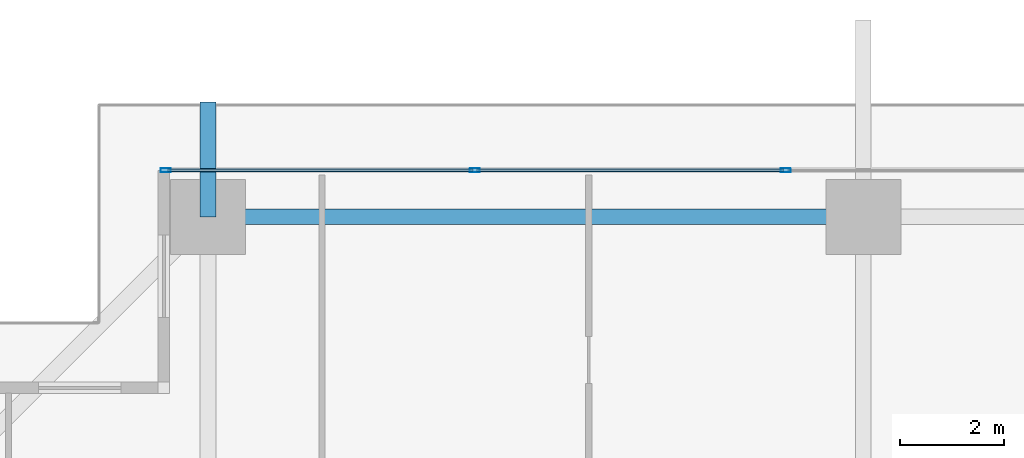
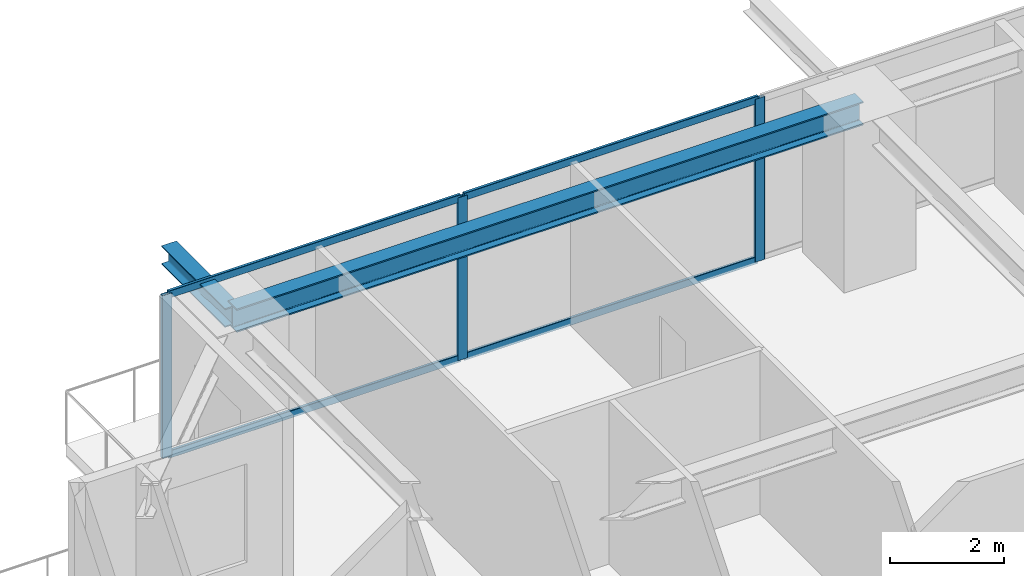
# One storey, part 20 of 39: 7 members, 2 beams, 1 element without a shape of its own.
"""IFC4 building model written with IfcOpenShell, lengths in metres."""

import ifcopenshell
import ifcopenshell.guid

model = None  # the IFC model being written
_history = None  # IfcOwnerHistory: only IFC2X3 demands one
_inside = {}  # id of a spatial element -> (the spatial element, [elements in it])
_under = {}  # id of a project, library or spatial element -> (it, [spatial elements below it])
_declared = {}  # id of a project -> (the project, [libraries it declares])
_typed = {}  # id of a type object -> (the type object, [elements of that type])
_made_of = {}  # id of a material, layer set ... -> (it, [elements and type objects made of it])


def new_model(schema):
    """Start an empty IFC model of exactly this schema.

    Asked for "IFC4X3", IfcOpenShell would pick the latest addendum, in which some entities
    have other attributes; the version numbers below select the first issue.
    IFC2X3 requires an IfcOwnerHistory on every rooted entity: one is made here for all.
    """
    global model, _history
    if schema == "IFC4X3":
        model = ifcopenshell.file(schema_version=(4, 3, 0, 0))
    else:
        model = ifcopenshell.file(schema=schema)
    _inside.clear()
    _under.clear()
    _declared.clear()
    _typed.clear()
    _made_of.clear()
    _history = None
    if model.schema == "IFC2X3":
        org = make("IfcOrganization", Name="unknown")
        user = make(
            "IfcPersonAndOrganization",
            ThePerson=make("IfcPerson", FamilyName="unknown"),
            TheOrganization=org,
        )
        app = make(
            "IfcApplication",
            ApplicationDeveloper=org,
            Version="unknown",
            ApplicationFullName="unknown",
            ApplicationIdentifier="unknown",
        )
        _history = make(
            "IfcOwnerHistory",
            OwningUser=user,
            OwningApplication=app,
            ChangeAction="ADDED",
            CreationDate=0,
        )
    return model


def make(cls, **values):
    """One entity of the class cls with the attributes given. An attribute that is None is left unset."""
    return model.create_entity(
        cls, **{name: value for name, value in values.items() if value is not None}
    )


def rooted(cls, **values):
    """An entity with a GlobalId (a new one), such as an element, a storey or a relation."""
    return make(cls, GlobalId=ifcopenshell.guid.new(), OwnerHistory=_history, **values)


def si_unit(unit_type, name, prefix=None):
    """IfcSIUnit, for example si_unit("LENGTHUNIT", "METRE", prefix="MILLI")."""
    return make("IfcSIUnit", UnitType=unit_type, Prefix=prefix, Name=name)


def assignment(units):
    """IfcUnitAssignment: the units of a project."""
    return None if units is None else make("IfcUnitAssignment", Units=units)


def point(xyz):
    """IfcCartesianPoint."""
    return None if xyz is None else make("IfcCartesianPoint", Coordinates=xyz)


def direction(xyz):
    """IfcDirection."""
    return None if xyz is None else make("IfcDirection", DirectionRatios=xyz)


def frame(location, z_axis=None, x_axis=None):
    """IfcAxis2Placement3D, a coordinate frame: its origin and axes. An axis left out is left unset."""
    return make(
        "IfcAxis2Placement3D",
        Location=point(location),
        Axis=direction(z_axis),
        RefDirection=direction(x_axis),
    )


def frame_2d(location, x_axis=None):
    """IfcAxis2Placement2D, a coordinate frame in the plane: its origin and x axis."""
    return make(
        "IfcAxis2Placement2D", Location=point(location), RefDirection=direction(x_axis)
    )


def origin():
    """The frame at (0, 0, 0) with its axes left unset."""
    return frame((0.0, 0.0, 0.0))


def origin_2d():
    """The frame at (0, 0) in the plane with its x axis left unset."""
    return frame_2d((0.0, 0.0))


def place(relative_to, where):
    """IfcLocalPlacement: puts the frame where relative to a parent placement (None: the world)."""
    return make(
        "IfcLocalPlacement", PlacementRelTo=relative_to, RelativePlacement=where
    )


def context(
    kind, dimensions, precision=None, world=None, true_north=None, identifier=None
):
    """IfcGeometricRepresentationContext, for example the 3D "Model" context."""
    return make(
        "IfcGeometricRepresentationContext",
        ContextIdentifier=identifier,
        ContextType=kind,
        CoordinateSpaceDimension=dimensions,
        Precision=precision,
        WorldCoordinateSystem=world,
        TrueNorth=true_north,
    )


def subcontext(parent, identifier, kind, view, scale=None):
    """IfcGeometricRepresentationSubContext, for example "Body" below "Model"."""
    return make(
        "IfcGeometricRepresentationSubContext",
        ContextIdentifier=identifier,
        ContextType=kind,
        ParentContext=parent,
        TargetScale=scale,
        TargetView=view,
    )


def project(units=None, contexts=None):
    """IfcProject with its units and contexts."""
    return rooted(
        "IfcProject",
        Name="project",
        RepresentationContexts=contexts,
        UnitsInContext=assignment(units),
    )


def spatial(cls, under=None, at=None, **own):
    """A site, building, storey or space (cls), placed at a placement, below another one or the project."""
    s = rooted(cls, ObjectPlacement=at, **own)
    if under is not None:
        _under.setdefault(under.id(), (under, []))[1].append(s)
    return s


def profile(cls, at=None, kind="AREA", **sizes):
    """A parametric profile (cls). Its sizes go by their IFC names, for example OverallWidth=200.0."""
    return make(cls, ProfileType=kind, Position=at, **sizes)


def hollow_rectangle(**sizes):
    """IfcRectangleHollowProfileDef."""
    return profile("IfcRectangleHollowProfileDef", **sizes)


def i_section(**sizes):
    """IfcIShapeProfileDef."""
    return profile("IfcIShapeProfileDef", **sizes)


def extrude(swept, where, along, depth):
    """IfcExtrudedAreaSolid: the profile swept, set in the frame where, extruded along a direction by depth."""
    return make(
        "IfcExtrudedAreaSolid",
        SweptArea=swept,
        Position=where,
        ExtrudedDirection=direction(along),
        Depth=depth,
    )


def shape(context_of_items, identifier, shape_type, items):
    """IfcShapeRepresentation: the items that make up one representation, for example the "Body"."""
    return make(
        "IfcShapeRepresentation",
        ContextOfItems=context_of_items,
        RepresentationIdentifier=identifier,
        RepresentationType=shape_type,
        Items=items,
    )


def source(mapping_origin, context_of_items, identifier, shape_type, items):
    """IfcRepresentationMap: a shape defined once, which mapped items show again and again."""
    return make(
        "IfcRepresentationMap",
        MappingOrigin=mapping_origin,
        MappedRepresentation=shape(context_of_items, identifier, shape_type, items),
    )


def transform(
    local_origin,
    x_axis=None,
    y_axis=None,
    z_axis=None,
    scale=None,
    scale2=None,
    scale3=None,
    uniform=True,
):
    """IfcCartesianTransformationOperator3D, or its non-uniform kind. x_axis, y_axis, z_axis: its Axis1, 2, 3."""
    if uniform:
        return make(
            "IfcCartesianTransformationOperator3D",
            Axis1=direction(x_axis),
            Axis2=direction(y_axis),
            LocalOrigin=point(local_origin),
            Scale=scale,
            Axis3=direction(z_axis),
        )
    return make(
        "IfcCartesianTransformationOperator3DnonUniform",
        Axis1=direction(x_axis),
        Axis2=direction(y_axis),
        LocalOrigin=point(local_origin),
        Scale=scale,
        Axis3=direction(z_axis),
        Scale2=scale2,
        Scale3=scale3,
    )


def mapped(mapping_source, mapping_target):
    """IfcMappedItem: shows the shape of a source again, moved by a transform."""
    return make(
        "IfcMappedItem", MappingSource=mapping_source, MappingTarget=mapping_target
    )


def material(Name=None, Category=None):
    """IfcMaterial."""
    return make("IfcMaterial", Name=Name, Category=Category)


def layer(
    of_material, thickness, ventilated=None, Name=None, Category=None, Priority=None
):
    """IfcMaterialLayer: one layer of a wall or slab, of a material (None: an air gap)."""
    return make(
        "IfcMaterialLayer",
        Material=of_material,
        LayerThickness=thickness,
        IsVentilated=ventilated,
        Name=Name,
        Category=Category,
        Priority=Priority,
    )


def layer_set(layers, Name=None):
    """IfcMaterialLayerSet."""
    return make("IfcMaterialLayerSet", MaterialLayers=layers, LayerSetName=Name)


def material_profile(
    of_material, cross_section, Name=None, Category=None, Priority=None
):
    """IfcMaterialProfile: a cross section and its material."""
    return make(
        "IfcMaterialProfile",
        Name=Name,
        Material=of_material,
        Profile=cross_section,
        Priority=Priority,
        Category=Category,
    )


def profile_set(profiles, Name=None, composite=None):
    """IfcMaterialProfileSet."""
    return make(
        "IfcMaterialProfileSet",
        Name=Name,
        MaterialProfiles=profiles,
        CompositeProfile=composite,
    )


def made_of(thing, what):
    """Note that an element or type object is made of a material, layer set ...; save() writes the relation."""
    if what is not None:
        _made_of.setdefault(what.id(), (what, []))[1].append(thing)
    return thing


def type_object(cls, material=None, **own):
    """A type object (cls), such as IfcWallType, which elements share."""
    return made_of(rooted(cls, **own), material)


def element(
    cls,
    number,
    at=None,
    inside=None,
    cuts=None,
    type_object=None,
    material=None,
    context=None,
    identifier="Body",
    shape_type=None,
    held_by="IfcProductDefinitionShape",
    body=None,
    shapes=None,
    **own,
):
    """One element of the class cls, such as IfcWall. Its Tag is "e" and its number.

    at: its placement. inside: the storey or other place that contains it. cuts: it is an
    opening in that element (IfcRelVoidsElement). A single representation is given by context,
    identifier, shape_type and body (its items); several are given by shapes. held_by: the class
    of the entity that holds the representations. save() writes the other relations.
    """
    e = rooted(cls, Tag="e%d" % number, ObjectPlacement=at, **own)
    if body is not None:
        shapes = [shape(context, identifier, shape_type, body)]
    if shapes is not None:
        e.Representation = make(held_by, Representations=shapes)
    if inside is not None:
        _inside.setdefault(inside.id(), (inside, []))[1].append(e)
    if cuts is not None:
        rooted(
            "IfcRelVoidsElement", RelatingBuildingElement=cuts, RelatedOpeningElement=e
        )
    if type_object is not None:
        _typed.setdefault(type_object.id(), (type_object, []))[1].append(e)
    return made_of(e, material)


def aggregate(whole, parts):
    """IfcRelAggregates: a whole, such as a stair, and the parts it consists of."""
    return rooted("IfcRelAggregates", RelatingObject=whole, RelatedObjects=parts)


def save(model, path):
    """Write the relations noted so far, then the file.

    IfcRelAggregates (storeys below a building ...), IfcRelContainedInSpatialStructure (elements
    in a storey), IfcRelDefinesByType, IfcRelAssociatesMaterial and IfcRelDeclares: one each for
    every whole, place, type object, material and project.
    """
    for whole, parts in _under.values():
        aggregate(whole, parts)
    for where, things in _inside.values():
        rooted(
            "IfcRelContainedInSpatialStructure",
            RelatedElements=things,
            RelatingStructure=where,
        )
    for kind, things in _typed.values():
        rooted("IfcRelDefinesByType", RelatedObjects=things, RelatingType=kind)
    for what, things in _made_of.values():
        rooted("IfcRelAssociatesMaterial", RelatedObjects=things, RelatingMaterial=what)
    for by, libraries in _declared.values():
        rooted("IfcRelDeclares", RelatingContext=by, RelatedDefinitions=libraries)
    model.write(path)


model = new_model("IFC4")

# Units and contexts
model_context = context("Model", 3, precision=1e-05, world=origin(), true_north=direction((0.0, 1.0)))
body_context = subcontext(model_context, "Body", "Model", "MODEL_VIEW")
ifc_project = project(units=[si_unit("LENGTHUNIT", "METRE"), si_unit("AREAUNIT", "SQUARE_METRE"), si_unit("VOLUMEUNIT", "CUBIC_METRE"), si_unit("PLANEANGLEUNIT", "RADIAN"), si_unit("MASSUNIT", "GRAM", prefix="KILO")], contexts=[model_context])

# Site, building, storey
site_placement = place(None, origin())
site = spatial("IfcSite", under=ifc_project, at=site_placement, CompositionType="ELEMENT")
building_placement = place(site_placement, origin())
building = spatial("IfcBuilding", under=site, at=building_placement, Name="Serunith Strait Residences", CompositionType="ELEMENT")
storey_placement = place(building_placement, frame((0.0, 0.0, 64.199951171875)))
storey = spatial("IfcBuildingStorey", under=building, at=storey_placement, Name="L15", CompositionType="ELEMENT", Elevation=64.199951171875)

# Beams
ifc_material_1 = material(Name="Steel S355J2", Category="steel")
ifc_material_profile_1 = material_profile(ifc_material_1, i_section(OverallWidth=0.300048828125, OverallDepth=0.5, WebThickness=0.014404296875, FlangeThickness=0.028076171875, FilletRadius=0.027099609375, at=origin_2d()), Name="HEB 500")
ifc_profile_set_1 = profile_set([ifc_material_profile_1], Name="Steel S355J2")
beam_type_1 = type_object("IfcBeamType", Name="BM-HEB500", PredefinedType="BEAM", material=ifc_profile_set_1)
shared_shape_1 = source(origin(), body_context, "Body", "SweptSolid", [
    extrude(i_section(OverallWidth=0.300048828125, OverallDepth=0.5, WebThickness=0.014404296875, FlangeThickness=0.028076171875, FilletRadius=0.027099609375, at=origin_2d()), origin(), (0.0, 0.0, 1.0), 12.64990234375),
])
beam_1_placement = place(storey_placement, frame((27.89990234375, 49.300048828125, 3.237060546875), z_axis=(-1.0, 0.0, 0.0), x_axis=(0.0, -1.0, 0.0)))
element("IfcBeam", 1, at=beam_1_placement, inside=storey, type_object=beam_type_1, Name="L15 Perimeter Ring Beam 11", PredefinedType="BEAM", context=body_context, shape_type="MappedRepresentation", body=[
    mapped(shared_shape_1, transform((0.0, 0.0, 0.0), scale=1.0)),
])
ifc_material_profile_2 = material_profile(ifc_material_1, i_section(OverallWidth=0.300048828125, OverallDepth=0.39990234375, WebThickness=0.013427734375, FlangeThickness=0.02392578125, FilletRadius=0.027099609375, at=origin_2d()), Name="HEB 400")
ifc_profile_set_2 = profile_set([ifc_material_profile_2], Name="Steel S355J2")
beam_type_2 = type_object("IfcBeamType", Name="BM-HEB400", PredefinedType="BEAM", material=ifc_profile_set_2)
shared_shape_2 = source(origin(), body_context, "Body", "SweptSolid", [
    extrude(i_section(OverallWidth=0.300048828125, OverallDepth=0.39990234375, WebThickness=0.013427734375, FlangeThickness=0.02392578125, FilletRadius=0.027099609375, at=origin_2d()), origin(), (0.0, 0.0, 1.0), 2.216796875),
])
beam_2_placement = place(storey_placement, frame((15.25, 49.300048828125, 3.257080078125), z_axis=(0.0, 1.0, 0.0), x_axis=(-1.0, 0.0, 0.0)))
element("IfcBeam", 2, at=beam_2_placement, inside=storey, type_object=beam_type_2, Name="L16 Cantilevered Balcony Rib TC-N1", PredefinedType="BEAM", context=body_context, shape_type="MappedRepresentation", body=[
    mapped(shared_shape_2, transform((0.0, 0.0, 0.0), scale=1.0)),
])

# Curtain wall, members
ifc_material_2 = material(Name="Pale-Champagne Anodised Aluminium", Category="aluminium")
ifc_layer = layer(ifc_material_2, 0.199951171875, Name="Pale-Champagne Anodised Aluminium")
ifc_layer_set = layer_set([ifc_layer], Name="Pale-Champagne Anodised Aluminium")
curtain_wall_type = type_object("IfcCurtainWallType", Name="CW-SYS1", PredefinedType="NOTDEFINED", material=ifc_layer_set)
curtain_wall_placement = place(storey_placement, origin())
curtain_wall = element("IfcCurtainWall", 3, at=curtain_wall_placement, inside=storey, type_object=curtain_wall_type, Name="L15 N Unitised Fritted Curtain Wall", PredefinedType="NOTDEFINED")
ifc_material_profile_3 = material_profile(ifc_material_2, hollow_rectangle(XDim=0.070068359375, YDim=0.199951171875, WallThickness=0.00390625, InnerFilletRadius=0.006103515625, OuterFilletRadius=0.010009765625, at=origin_2d()), Name="ALU 200x70x4")
ifc_profile_set_3 = profile_set([ifc_material_profile_3], Name="Pale-Champagne Anodised Aluminium")
member_type_1 = type_object("IfcMemberType", Name="CW-SYS1-MULL", PredefinedType="MULLION", material=ifc_profile_set_3)
shared_shape_3 = source(origin(), body_context, "Body", "SweptSolid", [
    extrude(hollow_rectangle(XDim=0.070068359375, YDim=0.199951171875, WallThickness=0.00390625, InnerFilletRadius=0.006103515625, OuterFilletRadius=0.010009765625, at=origin_2d()), origin(), (0.0, 0.0, 1.0), 3.47509765625),
])
member_1_placement = place(storey_placement, frame((26.39990234375, 50.199951171875, 0.0), z_axis=(0.0, 0.0, 1.0), x_axis=(0.0, -1.0, 0.0)))
member_1 = element("IfcMember", 4, at=member_1_placement, type_object=member_type_1, Name="CW-1 mullion 5", PredefinedType="MULLION", context=body_context, shape_type="MappedRepresentation", body=[
    mapped(shared_shape_3, transform((0.0, 0.0, 0.0), scale=1.0)),
])
member_2_placement = place(storey_placement, frame((20.39990234375, 50.199951171875, 0.0), z_axis=(0.0, 0.0, 1.0), x_axis=(0.0, -1.0, 0.0)))
member_2 = element("IfcMember", 5, at=member_2_placement, type_object=member_type_1, Name="CW-1 mullion 6", PredefinedType="MULLION", context=body_context, shape_type="MappedRepresentation", body=[
    mapped(shared_shape_3, transform((0.0, 0.0, 0.0), scale=1.0)),
])
member_3_placement = place(storey_placement, frame((14.43505859375, 50.199951171875, 0.0), z_axis=(0.0, 0.0, 1.0), x_axis=(0.0, -1.0, 0.0)))
member_3 = element("IfcMember", 6, at=member_3_placement, type_object=member_type_1, Name="CW-1 mullion 7", PredefinedType="MULLION", context=body_context, shape_type="MappedRepresentation", body=[
    mapped(shared_shape_3, transform((0.0, 0.0, 0.0), scale=1.0)),
])
ifc_material_profile_4 = material_profile(ifc_material_2, hollow_rectangle(XDim=0.06005859375, YDim=0.159912109375, WallThickness=0.00341796875, InnerFilletRadius=0.00537109375, OuterFilletRadius=0.0087890625, at=origin_2d()), Name="ALU 160x60x3.5")
ifc_profile_set_4 = profile_set([ifc_material_profile_4], Name="Pale-Champagne Anodised Aluminium")
member_type_2 = type_object("IfcMemberType", Name="CW-SYS1-TRAN", PredefinedType="USERDEFINED", material=ifc_profile_set_4)
shared_shape_4 = source(origin(), body_context, "Body", "SweptSolid", [
    extrude(hollow_rectangle(XDim=0.06005859375, YDim=0.159912109375, WallThickness=0.00341796875, InnerFilletRadius=0.00537109375, OuterFilletRadius=0.0087890625, at=origin_2d()), origin(), (0.0, 0.0, 1.0), 5.89501953125),
])
member_4_placement = place(storey_placement, frame((20.364990234375, 50.199951171875, 0.030029296875), z_axis=(-1.0, 0.0, 0.0), x_axis=(0.0, -1.0, 0.0)))
member_4 = element("IfcMember", 7, at=member_4_placement, type_object=member_type_2, Name="CW-1 transom 6.1", ObjectType="TRANSOM", PredefinedType="USERDEFINED", context=body_context, shape_type="MappedRepresentation", body=[
    mapped(shared_shape_4, transform((0.0, 0.0, 0.0), scale=1.0)),
])
member_5_placement = place(storey_placement, frame((20.364990234375, 50.199951171875, 3.445068359375), z_axis=(-1.0, 0.0, 0.0), x_axis=(0.0, -1.0, 0.0)))
member_5 = element("IfcMember", 8, at=member_5_placement, type_object=member_type_2, Name="CW-1 transom 6.2", ObjectType="TRANSOM", PredefinedType="USERDEFINED", context=body_context, shape_type="MappedRepresentation", body=[
    mapped(shared_shape_4, transform((0.0, 0.0, 0.0), scale=1.0)),
])
shared_shape_5 = source(origin(), body_context, "Body", "SweptSolid", [
    extrude(hollow_rectangle(XDim=0.06005859375, YDim=0.159912109375, WallThickness=0.00341796875, InnerFilletRadius=0.00537109375, OuterFilletRadius=0.0087890625, at=origin_2d()), origin(), (0.0, 0.0, 1.0), 5.929931640625),
])
member_6_placement = place(storey_placement, frame((26.364990234375, 50.199951171875, 0.030029296875), z_axis=(-1.0, 0.0, 0.0), x_axis=(0.0, -1.0, 0.0)))
member_6 = element("IfcMember", 9, at=member_6_placement, type_object=member_type_2, Name="CW-1 transom 5.1", ObjectType="TRANSOM", PredefinedType="USERDEFINED", context=body_context, shape_type="MappedRepresentation", body=[
    mapped(shared_shape_5, transform((0.0, 0.0, 0.0), scale=1.0)),
])
member_7_placement = place(storey_placement, frame((26.364990234375, 50.199951171875, 3.445068359375), z_axis=(-1.0, 0.0, 0.0), x_axis=(0.0, -1.0, 0.0)))
member_7 = element("IfcMember", 10, at=member_7_placement, type_object=member_type_2, Name="CW-1 transom 5.2", ObjectType="TRANSOM", PredefinedType="USERDEFINED", context=body_context, shape_type="MappedRepresentation", body=[
    mapped(shared_shape_5, transform((0.0, 0.0, 0.0), scale=1.0)),
])
aggregate(curtain_wall, [member_1, member_2, member_3, member_6, member_7, member_4, member_5])

save(model, "model.ifc")
